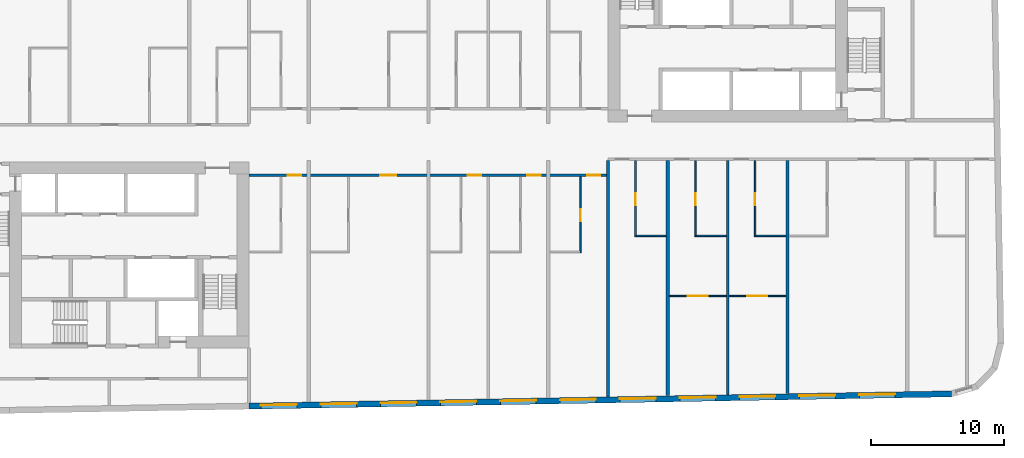
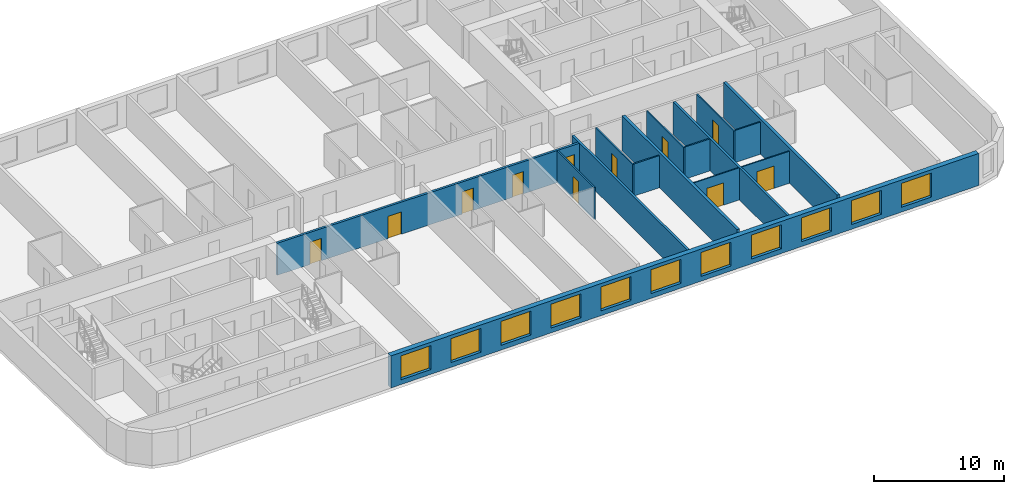
# One storey, part 4 of 12: 15 walls, 11 doors, 11 windows, 22 openings.
"""IFC4 building model written with IfcOpenShell, lengths in metres."""

from ifc_helpers import new_model, si_unit, direction, frame, frame_2d, origin, place, context, subcontext, project, spatial, rectangle, extrude, material, layer, layer_set, type_object, element, fill, save


model = new_model("IFC4")

# Units and contexts
model_context = context("Model", 3, precision=1e-05, world=origin(), true_north=direction((0.0, 1.0)))
body_context = subcontext(model_context, "Body", "Model", "MODEL_VIEW")
ifc_project = project(units=[si_unit("LENGTHUNIT", "METRE"), si_unit("AREAUNIT", "SQUARE_METRE"), si_unit("VOLUMEUNIT", "CUBIC_METRE"), si_unit("PLANEANGLEUNIT", "RADIAN"), si_unit("MASSUNIT", "GRAM", prefix="KILO")], contexts=[model_context])

# Site, building, storey
site_placement = place(None, origin())
site = spatial("IfcSite", under=ifc_project, at=site_placement, CompositionType="ELEMENT")
building_placement = place(site_placement, origin())
building = spatial("IfcBuilding", under=site, at=building_placement, Name="Kajstack Hotel Tower", CompositionType="ELEMENT")
storey_placement = place(building_placement, frame((0.0, 0.0, 234.199951171875)))
storey = spatial("IfcBuildingStorey", under=building, at=storey_placement, Name="L57", CompositionType="ELEMENT", Elevation=234.199951171875)

# Wall, openings, doors
ifc_material_1 = material(Name="Gypsum board on steel studs, mineral wool", Category="steel")
ifc_layer_1 = layer(ifc_material_1, 0.199951171875)
ifc_layer_set_1 = layer_set([ifc_layer_1], Name="Corridor wall 200")
wall_type_1 = type_object("IfcWallType", Name="Corridor wall 200", PredefinedType="PARTITIONING", material=ifc_layer_set_1)
wall_1_placement = place(storey_placement, frame((-13.5, -2.5, 0.0), z_axis=(0.0, 0.0, 1.0), x_axis=(1.0, 0.0, 0.0)))
wall_1 = element("IfcWall", 1, at=wall_1_placement, inside=storey, type_object=wall_type_1, Name="G-wall-L57-025", PredefinedType="PARTITIONING", context=body_context, shape_type="SweptSolid", body=[
    extrude(rectangle(XDim=27.0, YDim=0.199951171875, at=frame_2d((13.5, 0.0))), origin(), (0.0, 0.0, 1.0), 3.02001953125),
])
opening_1_placement = place(wall_1_placement, frame((2.925048828125, 0.0, 0.0)))
opening_1 = element("IfcOpeningElement", 2, at=opening_1_placement, cuts=wall_1, Name="Opening 57019", PredefinedType="OPENING", context=body_context, shape_type="SweptSolid", body=[
    extrude(rectangle(XDim=1.0, YDim=2.10009765625, at=frame_2d((0.5, 1.050048828125))), frame((0.0, 0.10986328125, 0.0), z_axis=(0.0, -1.0, 0.0), x_axis=(1.0, 0.0, 0.0)), (0.0, 0.0, 1.0), 0.219970703125),
])
opening_2_placement = place(wall_1_placement, frame((9.863037109375, 0.0, 0.0)))
opening_2 = element("IfcOpeningElement", 3, at=opening_2_placement, cuts=wall_1, Name="Opening 57021", PredefinedType="OPENING", context=body_context, shape_type="SweptSolid", body=[
    extrude(rectangle(XDim=1.199951171875, YDim=2.10009765625, at=frame_2d((0.60009765625, 1.050048828125))), frame((0.0, 0.10986328125, 0.0), z_axis=(0.0, -1.0, 0.0), x_axis=(1.0, 0.0, 0.0)), (0.0, 0.0, 1.0), 0.219970703125),
])
opening_3_placement = place(wall_1_placement, frame((16.449951171875, 0.0, 0.0)))
opening_3 = element("IfcOpeningElement", 4, at=opening_3_placement, cuts=wall_1, Name="Opening 57023", PredefinedType="OPENING", context=body_context, shape_type="SweptSolid", body=[
    extrude(rectangle(XDim=1.0, YDim=2.10009765625, at=frame_2d((0.5, 1.050048828125))), frame((0.0, 0.10986328125, 0.0), z_axis=(0.0, -1.0, 0.0), x_axis=(1.0, 0.0, 0.0)), (0.0, 0.0, 1.0), 0.219970703125),
])
opening_4_placement = place(wall_1_placement, frame((20.925048828125, 0.0, 0.0)))
opening_4 = element("IfcOpeningElement", 5, at=opening_4_placement, cuts=wall_1, Name="Opening 57025", PredefinedType="OPENING", context=body_context, shape_type="SweptSolid", body=[
    extrude(rectangle(XDim=1.0, YDim=2.10009765625, at=frame_2d((0.5, 1.050048828125))), frame((0.0, 0.10986328125, 0.0), z_axis=(0.0, -1.0, 0.0), x_axis=(1.0, 0.0, 0.0)), (0.0, 0.0, 1.0), 0.219970703125),
])
opening_5_placement = place(wall_1_placement, frame((25.425048828125, 0.0, 0.0)))
opening_5 = element("IfcOpeningElement", 6, at=opening_5_placement, cuts=wall_1, Name="Opening 57027", PredefinedType="OPENING", context=body_context, shape_type="SweptSolid", body=[
    extrude(rectangle(XDim=1.0, YDim=2.10009765625, at=frame_2d((0.5, 1.050048828125))), frame((0.0, 0.10986328125, 0.0), z_axis=(0.0, -1.0, 0.0), x_axis=(1.0, 0.0, 0.0)), (0.0, 0.0, 1.0), 0.219970703125),
])
ifc_material_2 = material(Name="Oak veneer on timber core, fire-rated leaf", Category="wood")
door_type_1 = type_object("IfcDoorType", Name="Flat entrance door 1000", OperationType="SINGLE_SWING_LEFT", PredefinedType="DOOR", material=ifc_material_2)
door_1_placement = place(opening_1_placement, origin())
door_1 = element("IfcDoor", 7, at=door_1_placement, inside=storey, type_object=door_type_1, Name="G-door-L57-19", OperationType="SINGLE_SWING_RIGHT", OverallHeight=2.10009765625, OverallWidth=1.0, PredefinedType="DOOR", context=body_context, shape_type="SweptSolid", body=[
    extrude(rectangle(XDim=1.0, YDim=2.10009765625, at=frame_2d((0.5, 1.050048828125))), frame((0.0, 0.02490234375, 0.0), z_axis=(0.0, -1.0, 0.0), x_axis=(1.0, 0.0, 0.0)), (0.0, 0.0, 1.0), 0.050048828125),
])
fill(opening_1, door_1)
door_2_placement = place(opening_3_placement, origin())
door_2 = element("IfcDoor", 8, at=door_2_placement, inside=storey, type_object=door_type_1, Name="G-door-L57-23", OperationType="SINGLE_SWING_LEFT", OverallHeight=2.10009765625, OverallWidth=1.0, PredefinedType="DOOR", context=body_context, shape_type="SweptSolid", body=[
    extrude(rectangle(XDim=1.0, YDim=2.10009765625, at=frame_2d((0.5, 1.050048828125))), frame((0.0, 0.02490234375, 0.0), z_axis=(0.0, -1.0, 0.0), x_axis=(1.0, 0.0, 0.0)), (0.0, 0.0, 1.0), 0.050048828125),
])
fill(opening_3, door_2)
door_3_placement = place(opening_4_placement, origin())
door_3 = element("IfcDoor", 9, at=door_3_placement, inside=storey, type_object=door_type_1, Name="G-door-L57-25", OperationType="SINGLE_SWING_RIGHT", OverallHeight=2.10009765625, OverallWidth=1.0, PredefinedType="DOOR", context=body_context, shape_type="SweptSolid", body=[
    extrude(rectangle(XDim=1.0, YDim=2.10009765625, at=frame_2d((0.5, 1.050048828125))), frame((0.0, 0.02490234375, 0.0), z_axis=(0.0, -1.0, 0.0), x_axis=(1.0, 0.0, 0.0)), (0.0, 0.0, 1.0), 0.050048828125),
])
fill(opening_4, door_3)
door_4_placement = place(opening_5_placement, origin())
door_4 = element("IfcDoor", 10, at=door_4_placement, inside=storey, type_object=door_type_1, Name="G-door-L57-27", OperationType="SINGLE_SWING_LEFT", OverallHeight=2.10009765625, OverallWidth=1.0, PredefinedType="DOOR", context=body_context, shape_type="SweptSolid", body=[
    extrude(rectangle(XDim=1.0, YDim=2.10009765625, at=frame_2d((0.5, 1.050048828125))), frame((0.0, 0.02490234375, 0.0), z_axis=(0.0, -1.0, 0.0), x_axis=(1.0, 0.0, 0.0)), (0.0, 0.0, 1.0), 0.050048828125),
])
fill(opening_5, door_4)
door_type_2 = type_object("IfcDoorType", Name="Flat entrance door 1200", OperationType="SINGLE_SWING_LEFT", PredefinedType="DOOR", material=ifc_material_2)
door_5_placement = place(opening_2_placement, origin())
door_5 = element("IfcDoor", 11, at=door_5_placement, inside=storey, type_object=door_type_2, Name="G-door-L57-21", OperationType="SINGLE_SWING_RIGHT", OverallHeight=2.10009765625, OverallWidth=1.199951171875, PredefinedType="DOOR", context=body_context, shape_type="SweptSolid", body=[
    extrude(rectangle(XDim=1.199951171875, YDim=2.10009765625, at=frame_2d((0.60009765625, 1.050048828125))), frame((0.0, 0.02490234375, 0.0), z_axis=(0.0, -1.0, 0.0), x_axis=(1.0, 0.0, 0.0)), (0.0, 0.0, 1.0), 0.050048828125),
])
fill(opening_2, door_5)

# Walls
ifc_material_3 = material(Name="Twin-frame gypsum board on steel studs, mineral wool", Category="steel")
ifc_layer_2 = layer(ifc_material_3, 0.199951171875)
ifc_layer_set_2 = layer_set([ifc_layer_2], Name="Demising wall 200")
wall_type_2 = type_object("IfcWallType", Name="Demising wall 200", PredefinedType="PARTITIONING", material=ifc_layer_set_2)
wall_2_placement = place(storey_placement, frame((13.5, -19.169921875, 0.0), z_axis=(0.0, 0.0, 1.0), x_axis=(0.0, 1.0, 0.0)))
element("IfcWall", 12, at=wall_2_placement, inside=storey, type_object=wall_type_2, Name="G-wall-L57-036", PredefinedType="PARTITIONING", context=body_context, shape_type="SweptSolid", body=[
    extrude(rectangle(XDim=17.77001953125, YDim=0.199951171875, at=frame_2d((8.885009765625, 0.0))), origin(), (0.0, 0.0, 1.0), 3.02001953125),
])
wall_3_placement = place(storey_placement, frame((22.5, -19.012939453125, 0.0), z_axis=(0.0, 0.0, 1.0), x_axis=(0.0, 1.0, 0.0)))
element("IfcWall", 13, at=wall_3_placement, inside=storey, type_object=wall_type_2, Name="G-wall-L57-041", PredefinedType="PARTITIONING", context=body_context, shape_type="SweptSolid", body=[
    extrude(rectangle(XDim=17.613037109375, YDim=0.199951171875, at=frame_2d((8.806640625, 0.0))), origin(), (0.0, 0.0, 1.0), 3.02001953125),
])

# Wall, openings, windows
ifc_material_4 = material(Name="Terracotta-faced brick masonry", Category="masonry")
ifc_layer_3 = layer(ifc_material_4, 0.449951171875)
ifc_layer_set_3 = layer_set([ifc_layer_3], Name="EW-TERRA")
wall_type_3 = type_object("IfcWallType", Name="EW-TERRA", PredefinedType="SOLIDWALL", material=ifc_layer_set_3)
wall_4_placement = place(storey_placement, frame((-13.50390625, -19.8662109375, 0.0), z_axis=(0.0, 0.0, 1.0), x_axis=(0.999847672978, 0.017453676992, 0.0)))
wall_4 = element("IfcWall", 14, at=wall_4_placement, inside=storey, type_object=wall_type_3, Name="E-wall-L57-04-02", PredefinedType="SOLIDWALL", context=body_context, shape_type="SweptSolid", body=[
    extrude(rectangle(XDim=52.8603515625, YDim=0.449951171875, at=frame_2d((26.43017578125, 0.0))), origin(), (0.0, 0.0, 1.0), 3.02001953125),
])
opening_6_placement = place(wall_4_placement, frame((0.900390625, 0.0, 0.449951171875)))
opening_6 = element("IfcOpeningElement", 15, at=opening_6_placement, cuts=wall_4, Name="Opening W1", PredefinedType="OPENING", context=body_context, shape_type="SweptSolid", body=[
    extrude(rectangle(XDim=2.699951171875, YDim=2.25, at=frame_2d((1.35009765625, 1.125))), frame((0.0, 0.23486328125, 0.0), z_axis=(0.0, -1.0, 0.0), x_axis=(1.0, 0.0, 0.0)), (0.0, 0.0, 1.0), 0.469970703125),
])
opening_7_placement = place(wall_4_placement, frame((5.40087890625, 0.0, 0.449951171875)))
opening_7 = element("IfcOpeningElement", 16, at=opening_7_placement, cuts=wall_4, Name="Opening W1", PredefinedType="OPENING", context=body_context, shape_type="SweptSolid", body=[
    extrude(rectangle(XDim=2.699951171875, YDim=2.25, at=frame_2d((1.35009765625, 1.125))), frame((0.0, 0.23486328125, 0.0), z_axis=(0.0, -1.0, 0.0), x_axis=(1.0, 0.0, 0.0)), (0.0, 0.0, 1.0), 0.469970703125),
])
opening_8_placement = place(wall_4_placement, frame((9.901611328125, 0.0, 0.449951171875)))
opening_8 = element("IfcOpeningElement", 17, at=opening_8_placement, cuts=wall_4, Name="Opening W1", PredefinedType="OPENING", context=body_context, shape_type="SweptSolid", body=[
    extrude(rectangle(XDim=2.699951171875, YDim=2.25, at=frame_2d((1.35009765625, 1.125))), frame((0.0, 0.23486328125, 0.0), z_axis=(0.0, -1.0, 0.0), x_axis=(1.0, 0.0, 0.0)), (0.0, 0.0, 1.0), 0.469970703125),
])
opening_9_placement = place(wall_4_placement, frame((14.40234375, 0.0, 0.449951171875)))
opening_9 = element("IfcOpeningElement", 18, at=opening_9_placement, cuts=wall_4, Name="Opening W1", PredefinedType="OPENING", context=body_context, shape_type="SweptSolid", body=[
    extrude(rectangle(XDim=2.699951171875, YDim=2.25, at=frame_2d((1.35009765625, 1.125))), frame((0.0, 0.23486328125, 0.0), z_axis=(0.0, -1.0, 0.0), x_axis=(1.0, 0.0, 0.0)), (0.0, 0.0, 1.0), 0.469970703125),
])
opening_10_placement = place(wall_4_placement, frame((18.903076171875, 0.0, 0.449951171875)))
opening_10 = element("IfcOpeningElement", 19, at=opening_10_placement, cuts=wall_4, Name="Opening W1", PredefinedType="OPENING", context=body_context, shape_type="SweptSolid", body=[
    extrude(rectangle(XDim=2.699951171875, YDim=2.25, at=frame_2d((1.35009765625, 1.125))), frame((0.0, 0.23486328125, 0.0), z_axis=(0.0, -1.0, 0.0), x_axis=(1.0, 0.0, 0.0)), (0.0, 0.0, 1.0), 0.469970703125),
])
opening_11_placement = place(wall_4_placement, frame((23.40380859375, 0.0, 0.449951171875)))
opening_11 = element("IfcOpeningElement", 20, at=opening_11_placement, cuts=wall_4, Name="Opening W1", PredefinedType="OPENING", context=body_context, shape_type="SweptSolid", body=[
    extrude(rectangle(XDim=2.699951171875, YDim=2.25, at=frame_2d((1.35009765625, 1.125))), frame((0.0, 0.23486328125, 0.0), z_axis=(0.0, -1.0, 0.0), x_axis=(1.0, 0.0, 0.0)), (0.0, 0.0, 1.0), 0.469970703125),
])
opening_12_placement = place(wall_4_placement, frame((27.904296875, 0.0, 0.449951171875)))
opening_12 = element("IfcOpeningElement", 21, at=opening_12_placement, cuts=wall_4, Name="Opening W1", PredefinedType="OPENING", context=body_context, shape_type="SweptSolid", body=[
    extrude(rectangle(XDim=2.699951171875, YDim=2.25, at=frame_2d((1.35009765625, 1.125))), frame((0.0, 0.23486328125, 0.0), z_axis=(0.0, -1.0, 0.0), x_axis=(1.0, 0.0, 0.0)), (0.0, 0.0, 1.0), 0.469970703125),
])
opening_13_placement = place(wall_4_placement, frame((32.405029296875, 0.0, 0.449951171875)))
opening_13 = element("IfcOpeningElement", 22, at=opening_13_placement, cuts=wall_4, Name="Opening W1", PredefinedType="OPENING", context=body_context, shape_type="SweptSolid", body=[
    extrude(rectangle(XDim=2.699951171875, YDim=2.25, at=frame_2d((1.35009765625, 1.125))), frame((0.0, 0.23486328125, 0.0), z_axis=(0.0, -1.0, 0.0), x_axis=(1.0, 0.0, 0.0)), (0.0, 0.0, 1.0), 0.469970703125),
])
opening_14_placement = place(wall_4_placement, frame((36.90576171875, 0.0, 0.449951171875)))
opening_14 = element("IfcOpeningElement", 23, at=opening_14_placement, cuts=wall_4, Name="Opening W1", PredefinedType="OPENING", context=body_context, shape_type="SweptSolid", body=[
    extrude(rectangle(XDim=2.699951171875, YDim=2.25, at=frame_2d((1.35009765625, 1.125))), frame((0.0, 0.23486328125, 0.0), z_axis=(0.0, -1.0, 0.0), x_axis=(1.0, 0.0, 0.0)), (0.0, 0.0, 1.0), 0.469970703125),
])
opening_15_placement = place(wall_4_placement, frame((41.406494140625, 0.0, 0.449951171875)))
opening_15 = element("IfcOpeningElement", 24, at=opening_15_placement, cuts=wall_4, Name="Opening W1", PredefinedType="OPENING", context=body_context, shape_type="SweptSolid", body=[
    extrude(rectangle(XDim=2.699951171875, YDim=2.25, at=frame_2d((1.35009765625, 1.125))), frame((0.0, 0.23486328125, 0.0), z_axis=(0.0, -1.0, 0.0), x_axis=(1.0, 0.0, 0.0)), (0.0, 0.0, 1.0), 0.469970703125),
])
opening_16_placement = place(wall_4_placement, frame((45.9072265625, 0.0, 0.449951171875)))
opening_16 = element("IfcOpeningElement", 25, at=opening_16_placement, cuts=wall_4, Name="Opening W1", PredefinedType="OPENING", context=body_context, shape_type="SweptSolid", body=[
    extrude(rectangle(XDim=2.699951171875, YDim=2.25, at=frame_2d((1.35009765625, 1.125))), frame((0.0, 0.23486328125, 0.0), z_axis=(0.0, -1.0, 0.0), x_axis=(1.0, 0.0, 0.0)), (0.0, 0.0, 1.0), 0.469970703125),
])
ifc_material_5 = material(Name="Timber-aluminium window, triple glazed", Category="wood")
window_type = type_object("IfcWindowType", Name="WG1", PartitioningType="SINGLE_PANEL", PredefinedType="WINDOW", material=ifc_material_5)
window_1_placement = place(opening_6_placement, origin())
window_1 = element("IfcWindow", 26, at=window_1_placement, inside=storey, type_object=window_type, Name="Window W1 L57-04", OverallHeight=2.25, OverallWidth=2.699951171875, PartitioningType="SINGLE_PANEL", PredefinedType="WINDOW", context=body_context, shape_type="SweptSolid", body=[
    extrude(rectangle(XDim=2.699951171875, YDim=2.25, at=frame_2d((1.35009765625, 1.125))), frame((0.0, 0.090087890625, 0.0), z_axis=(0.0, -1.0, 0.0), x_axis=(1.0, 0.0, 0.0)), (0.0, 0.0, 1.0), 0.06005859375),
])
fill(opening_6, window_1)
window_2_placement = place(opening_7_placement, origin())
window_2 = element("IfcWindow", 27, at=window_2_placement, inside=storey, type_object=window_type, Name="Window W1 L57-04", OverallHeight=2.25, OverallWidth=2.699951171875, PartitioningType="SINGLE_PANEL", PredefinedType="WINDOW", context=body_context, shape_type="SweptSolid", body=[
    extrude(rectangle(XDim=2.699951171875, YDim=2.25, at=frame_2d((1.35009765625, 1.125))), frame((0.0, 0.090087890625, 0.0), z_axis=(0.0, -1.0, 0.0), x_axis=(1.0, 0.0, 0.0)), (0.0, 0.0, 1.0), 0.06005859375),
])
fill(opening_7, window_2)
window_3_placement = place(opening_8_placement, origin())
window_3 = element("IfcWindow", 28, at=window_3_placement, inside=storey, type_object=window_type, Name="Window W1 L57-04", OverallHeight=2.25, OverallWidth=2.699951171875, PartitioningType="SINGLE_PANEL", PredefinedType="WINDOW", context=body_context, shape_type="SweptSolid", body=[
    extrude(rectangle(XDim=2.699951171875, YDim=2.25, at=frame_2d((1.35009765625, 1.125))), frame((0.0, 0.090087890625, 0.0), z_axis=(0.0, -1.0, 0.0), x_axis=(1.0, 0.0, 0.0)), (0.0, 0.0, 1.0), 0.06005859375),
])
fill(opening_8, window_3)
window_4_placement = place(opening_9_placement, origin())
window_4 = element("IfcWindow", 29, at=window_4_placement, inside=storey, type_object=window_type, Name="Window W1 L57-04", OverallHeight=2.25, OverallWidth=2.699951171875, PartitioningType="SINGLE_PANEL", PredefinedType="WINDOW", context=body_context, shape_type="SweptSolid", body=[
    extrude(rectangle(XDim=2.699951171875, YDim=2.25, at=frame_2d((1.35009765625, 1.125))), frame((0.0, 0.090087890625, 0.0), z_axis=(0.0, -1.0, 0.0), x_axis=(1.0, 0.0, 0.0)), (0.0, 0.0, 1.0), 0.06005859375),
])
fill(opening_9, window_4)
window_5_placement = place(opening_10_placement, origin())
window_5 = element("IfcWindow", 30, at=window_5_placement, inside=storey, type_object=window_type, Name="Window W1 L57-04", OverallHeight=2.25, OverallWidth=2.699951171875, PartitioningType="SINGLE_PANEL", PredefinedType="WINDOW", context=body_context, shape_type="SweptSolid", body=[
    extrude(rectangle(XDim=2.699951171875, YDim=2.25, at=frame_2d((1.35009765625, 1.125))), frame((0.0, 0.090087890625, 0.0), z_axis=(0.0, -1.0, 0.0), x_axis=(1.0, 0.0, 0.0)), (0.0, 0.0, 1.0), 0.06005859375),
])
fill(opening_10, window_5)
window_6_placement = place(opening_11_placement, origin())
window_6 = element("IfcWindow", 31, at=window_6_placement, inside=storey, type_object=window_type, Name="Window W1 L57-04", OverallHeight=2.25, OverallWidth=2.699951171875, PartitioningType="SINGLE_PANEL", PredefinedType="WINDOW", context=body_context, shape_type="SweptSolid", body=[
    extrude(rectangle(XDim=2.699951171875, YDim=2.25, at=frame_2d((1.35009765625, 1.125))), frame((0.0, 0.090087890625, 0.0), z_axis=(0.0, -1.0, 0.0), x_axis=(1.0, 0.0, 0.0)), (0.0, 0.0, 1.0), 0.06005859375),
])
fill(opening_11, window_6)
window_7_placement = place(opening_12_placement, origin())
window_7 = element("IfcWindow", 32, at=window_7_placement, inside=storey, type_object=window_type, Name="Window W1 L57-04", OverallHeight=2.25, OverallWidth=2.699951171875, PartitioningType="SINGLE_PANEL", PredefinedType="WINDOW", context=body_context, shape_type="SweptSolid", body=[
    extrude(rectangle(XDim=2.699951171875, YDim=2.25, at=frame_2d((1.35009765625, 1.125))), frame((0.0, 0.090087890625, 0.0), z_axis=(0.0, -1.0, 0.0), x_axis=(1.0, 0.0, 0.0)), (0.0, 0.0, 1.0), 0.06005859375),
])
fill(opening_12, window_7)
window_8_placement = place(opening_13_placement, origin())
window_8 = element("IfcWindow", 33, at=window_8_placement, inside=storey, type_object=window_type, Name="Window W1 L57-04", OverallHeight=2.25, OverallWidth=2.699951171875, PartitioningType="SINGLE_PANEL", PredefinedType="WINDOW", context=body_context, shape_type="SweptSolid", body=[
    extrude(rectangle(XDim=2.699951171875, YDim=2.25, at=frame_2d((1.35009765625, 1.125))), frame((0.0, 0.090087890625, 0.0), z_axis=(0.0, -1.0, 0.0), x_axis=(1.0, 0.0, 0.0)), (0.0, 0.0, 1.0), 0.06005859375),
])
fill(opening_13, window_8)
window_9_placement = place(opening_14_placement, origin())
window_9 = element("IfcWindow", 34, at=window_9_placement, inside=storey, type_object=window_type, Name="Window W1 L57-04", OverallHeight=2.25, OverallWidth=2.699951171875, PartitioningType="SINGLE_PANEL", PredefinedType="WINDOW", context=body_context, shape_type="SweptSolid", body=[
    extrude(rectangle(XDim=2.699951171875, YDim=2.25, at=frame_2d((1.35009765625, 1.125))), frame((0.0, 0.090087890625, 0.0), z_axis=(0.0, -1.0, 0.0), x_axis=(1.0, 0.0, 0.0)), (0.0, 0.0, 1.0), 0.06005859375),
])
fill(opening_14, window_9)
window_10_placement = place(opening_15_placement, origin())
window_10 = element("IfcWindow", 35, at=window_10_placement, inside=storey, type_object=window_type, Name="Window W1 L57-04", OverallHeight=2.25, OverallWidth=2.699951171875, PartitioningType="SINGLE_PANEL", PredefinedType="WINDOW", context=body_context, shape_type="SweptSolid", body=[
    extrude(rectangle(XDim=2.699951171875, YDim=2.25, at=frame_2d((1.35009765625, 1.125))), frame((0.0, 0.090087890625, 0.0), z_axis=(0.0, -1.0, 0.0), x_axis=(1.0, 0.0, 0.0)), (0.0, 0.0, 1.0), 0.06005859375),
])
fill(opening_15, window_10)
window_11_placement = place(opening_16_placement, origin())
window_11 = element("IfcWindow", 36, at=window_11_placement, inside=storey, type_object=window_type, Name="Window W1 L57-04", OverallHeight=2.25, OverallWidth=2.699951171875, PartitioningType="SINGLE_PANEL", PredefinedType="WINDOW", context=body_context, shape_type="SweptSolid", body=[
    extrude(rectangle(XDim=2.699951171875, YDim=2.25, at=frame_2d((1.35009765625, 1.125))), frame((0.0, 0.090087890625, 0.0), z_axis=(0.0, -1.0, 0.0), x_axis=(1.0, 0.0, 0.0)), (0.0, 0.0, 1.0), 0.06005859375),
])
fill(opening_16, window_11)

# Wall, opening, door
ifc_material_6 = material(Name="Gypsum board and tiled backer on steel studs", Category="steel")
ifc_layer_4 = layer(ifc_material_6, 0.125)
ifc_layer_set_4 = layer_set([ifc_layer_4], Name="En-suite wall 125")
wall_type_4 = type_object("IfcWallType", Name="En-suite wall 125", PredefinedType="PARTITIONING", material=ifc_layer_set_4)
wall_5_placement = place(storey_placement, frame((11.43798828125, -8.324951171875, 0.0), z_axis=(0.0, 0.0, 1.0), x_axis=(0.0, 1.0, 0.0)))
wall_5 = element("IfcWall", 37, at=wall_5_placement, inside=storey, type_object=wall_type_4, Name="G-wall-L57-037", PredefinedType="PARTITIONING", context=body_context, shape_type="SweptSolid", body=[
    extrude(rectangle(XDim=5.724853515625, YDim=0.125, at=frame_2d((2.8623046875, 0.0))), origin(), (0.0, 0.0, 1.0), 3.02001953125),
])
opening_17_placement = place(wall_5_placement, frame((2.375, 0.0, 0.0)))
opening_17 = element("IfcOpeningElement", 38, at=opening_17_placement, cuts=wall_5, Name="Opening 57028", PredefinedType="OPENING", context=body_context, shape_type="SweptSolid", body=[
    extrude(rectangle(XDim=0.89990234375, YDim=2.10009765625, at=frame_2d((0.449951171875, 1.050048828125))), frame((0.0, 0.072509765625, 0.0), z_axis=(0.0, -1.0, 0.0), x_axis=(1.0, 0.0, 0.0)), (0.0, 0.0, 1.0), 0.14501953125),
])
ifc_material_7 = material(Name="Painted timber door leaf", Category="wood")
door_type_3 = type_object("IfcDoorType", Name="Room door 900", OperationType="SINGLE_SWING_LEFT", PredefinedType="DOOR", material=ifc_material_7)
door_6_placement = place(opening_17_placement, origin())
door_6 = element("IfcDoor", 39, at=door_6_placement, inside=storey, type_object=door_type_3, Name="G-door-L57-28", OperationType="SINGLE_SWING_LEFT", OverallHeight=2.10009765625, OverallWidth=0.89990234375, PredefinedType="DOOR", context=body_context, shape_type="SweptSolid", body=[
    extrude(rectangle(XDim=0.89990234375, YDim=2.10009765625, at=frame_2d((0.449951171875, 1.050048828125))), frame((0.0, 0.02490234375, 0.0), z_axis=(0.0, -1.0, 0.0), x_axis=(1.0, 0.0, 0.0)), (0.0, 0.0, 1.0), 0.050048828125),
])
fill(opening_17, door_6)

wall_6_placement = place(storey_placement, frame((15.56201171875, -7.125, 0.0), z_axis=(0.0, 0.0, 1.0), x_axis=(0.0, 1.0, 0.0)))
wall_6 = element("IfcWall", 40, at=wall_6_placement, inside=storey, type_object=wall_type_4, Name="G-wall-L57-039", PredefinedType="PARTITIONING", context=body_context, shape_type="SweptSolid", body=[
    extrude(rectangle(XDim=5.72509765625, YDim=0.125, at=frame_2d((2.862548828125, 0.0))), origin(), (0.0, 0.0, 1.0), 3.02001953125),
])
opening_18_placement = place(wall_6_placement, frame((2.375, 0.0, 0.0)))
opening_18 = element("IfcOpeningElement", 41, at=opening_18_placement, cuts=wall_6, Name="Opening 57030", PredefinedType="OPENING", context=body_context, shape_type="SweptSolid", body=[
    extrude(rectangle(XDim=0.89990234375, YDim=2.10009765625, at=frame_2d((0.449951171875, 1.050048828125))), frame((0.0, 0.072509765625, 0.0), z_axis=(0.0, -1.0, 0.0), x_axis=(1.0, 0.0, 0.0)), (0.0, 0.0, 1.0), 0.14501953125),
])
door_7_placement = place(opening_18_placement, origin())
door_7 = element("IfcDoor", 42, at=door_7_placement, inside=storey, type_object=door_type_3, Name="G-door-L57-30", OperationType="SINGLE_SWING_RIGHT", OverallHeight=2.10009765625, OverallWidth=0.89990234375, PredefinedType="DOOR", context=body_context, shape_type="SweptSolid", body=[
    extrude(rectangle(XDim=0.89990234375, YDim=2.10009765625, at=frame_2d((0.449951171875, 1.050048828125))), frame((0.0, 0.02490234375, 0.0), z_axis=(0.0, -1.0, 0.0), x_axis=(1.0, 0.0, 0.0)), (0.0, 0.0, 1.0), 0.050048828125),
])
fill(opening_18, door_7)

# Wall
wall_7_placement = place(storey_placement, frame((15.625, -7.06201171875, 0.0), z_axis=(0.0, 0.0, 1.0), x_axis=(1.0, 0.0, 0.0)))
element("IfcWall", 43, at=wall_7_placement, inside=storey, type_object=wall_type_4, Name="G-wall-L57-040", PredefinedType="PARTITIONING", context=body_context, shape_type="SweptSolid", body=[
    extrude(rectangle(XDim=2.25, YDim=0.125, at=frame_2d((1.125, 0.0))), origin(), (0.0, 0.0, 1.0), 3.02001953125),
])

# Wall, opening, door
wall_8_placement = place(storey_placement, frame((20.0869140625, -7.125, 0.0), z_axis=(0.0, 0.0, 1.0), x_axis=(0.0, 1.0, 0.0)))
wall_8 = element("IfcWall", 44, at=wall_8_placement, inside=storey, type_object=wall_type_4, Name="G-wall-L57-042", PredefinedType="PARTITIONING", context=body_context, shape_type="SweptSolid", body=[
    extrude(rectangle(XDim=5.72509765625, YDim=0.125, at=frame_2d((2.862548828125, 0.0))), origin(), (0.0, 0.0, 1.0), 3.02001953125),
])
opening_19_placement = place(wall_8_placement, frame((2.375, 0.0, 0.0)))
opening_19 = element("IfcOpeningElement", 45, at=opening_19_placement, cuts=wall_8, Name="Opening 57032", PredefinedType="OPENING", context=body_context, shape_type="SweptSolid", body=[
    extrude(rectangle(XDim=0.89990234375, YDim=2.10009765625, at=frame_2d((0.449951171875, 1.050048828125))), frame((0.0, 0.072509765625, 0.0), z_axis=(0.0, -1.0, 0.0), x_axis=(1.0, 0.0, 0.0)), (0.0, 0.0, 1.0), 0.14501953125),
])
door_8_placement = place(opening_19_placement, origin())
door_8 = element("IfcDoor", 46, at=door_8_placement, inside=storey, type_object=door_type_3, Name="G-door-L57-32", OperationType="SINGLE_SWING_RIGHT", OverallHeight=2.10009765625, OverallWidth=0.89990234375, PredefinedType="DOOR", context=body_context, shape_type="SweptSolid", body=[
    extrude(rectangle(XDim=0.89990234375, YDim=2.10009765625, at=frame_2d((0.449951171875, 1.050048828125))), frame((0.0, 0.02490234375, 0.0), z_axis=(0.0, -1.0, 0.0), x_axis=(1.0, 0.0, 0.0)), (0.0, 0.0, 1.0), 0.050048828125),
])
fill(opening_19, door_8)

# Wall
wall_9_placement = place(storey_placement, frame((20.14990234375, -7.06201171875, 0.0), z_axis=(0.0, 0.0, 1.0), x_axis=(1.0, 0.0, 0.0)))
element("IfcWall", 47, at=wall_9_placement, inside=storey, type_object=wall_type_4, Name="G-wall-L57-043", PredefinedType="PARTITIONING", context=body_context, shape_type="SweptSolid", body=[
    extrude(rectangle(XDim=2.25, YDim=0.125, at=frame_2d((1.125, 0.0))), origin(), (0.0, 0.0, 1.0), 3.02001953125),
])

# Wall, opening, door
wall_10_placement = place(storey_placement, frame((24.56201171875, -7.125, 0.0), z_axis=(0.0, 0.0, 1.0), x_axis=(0.0, 1.0, 0.0)))
wall_10 = element("IfcWall", 48, at=wall_10_placement, inside=storey, type_object=wall_type_4, Name="G-wall-L57-045", PredefinedType="PARTITIONING", context=body_context, shape_type="SweptSolid", body=[
    extrude(rectangle(XDim=5.72509765625, YDim=0.125, at=frame_2d((2.862548828125, 0.0))), origin(), (0.0, 0.0, 1.0), 3.02001953125),
])
opening_20_placement = place(wall_10_placement, frame((2.375, 0.0, 0.0)))
opening_20 = element("IfcOpeningElement", 49, at=opening_20_placement, cuts=wall_10, Name="Opening 57035", PredefinedType="OPENING", context=body_context, shape_type="SweptSolid", body=[
    extrude(rectangle(XDim=0.89990234375, YDim=2.10009765625, at=frame_2d((0.449951171875, 1.050048828125))), frame((0.0, 0.072509765625, 0.0), z_axis=(0.0, -1.0, 0.0), x_axis=(1.0, 0.0, 0.0)), (0.0, 0.0, 1.0), 0.14501953125),
])
door_9_placement = place(opening_20_placement, origin())
door_9 = element("IfcDoor", 50, at=door_9_placement, inside=storey, type_object=door_type_3, Name="G-door-L57-35", OperationType="SINGLE_SWING_LEFT", OverallHeight=2.10009765625, OverallWidth=0.89990234375, PredefinedType="DOOR", context=body_context, shape_type="SweptSolid", body=[
    extrude(rectangle(XDim=0.89990234375, YDim=2.10009765625, at=frame_2d((0.449951171875, 1.050048828125))), frame((0.0, 0.02490234375, 0.0), z_axis=(0.0, -1.0, 0.0), x_axis=(1.0, 0.0, 0.0)), (0.0, 0.0, 1.0), 0.050048828125),
])
fill(opening_20, door_9)

# Wall
wall_11_placement = place(storey_placement, frame((24.625, -7.06201171875, 0.0), z_axis=(0.0, 0.0, 1.0), x_axis=(1.0, 0.0, 0.0)))
element("IfcWall", 51, at=wall_11_placement, inside=storey, type_object=wall_type_4, Name="G-wall-L57-046", PredefinedType="PARTITIONING", context=body_context, shape_type="SweptSolid", body=[
    extrude(rectangle(XDim=2.25, YDim=0.125, at=frame_2d((1.125, 0.0))), origin(), (0.0, 0.0, 1.0), 3.02001953125),
])

# Wall, opening, door
ifc_material_8 = material(Name="Gypsum board on steel studs", Category="steel")
ifc_layer_5 = layer(ifc_material_8, 0.10009765625)
ifc_layer_set_5 = layer_set([ifc_layer_5], Name="Partition 100")
wall_type_5 = type_object("IfcWallType", Name="Partition 100", PredefinedType="PARTITIONING", material=ifc_layer_set_5)
wall_12_placement = place(storey_placement, frame((18.125, -11.574951171875, 0.0), z_axis=(0.0, 0.0, 1.0), x_axis=(1.0, 0.0, 0.0)))
wall_12 = element("IfcWall", 52, at=wall_12_placement, inside=storey, type_object=wall_type_5, Name="G-wall-L57-044", PredefinedType="PARTITIONING", context=body_context, shape_type="SweptSolid", body=[
    extrude(rectangle(XDim=4.27490234375, YDim=0.10009765625, at=frame_2d((2.137451171875, 0.0))), origin(), (0.0, 0.0, 1.0), 3.02001953125),
])
opening_21_placement = place(wall_12_placement, frame((1.386962890625, 0.0, 0.0)))
opening_21 = element("IfcOpeningElement", 53, at=opening_21_placement, cuts=wall_12, Name="Opening 57033", PredefinedType="OPENING", context=body_context, shape_type="SweptSolid", body=[
    extrude(rectangle(XDim=1.5, YDim=2.10009765625, at=frame_2d((0.75, 1.050048828125))), frame((0.0, 0.06005859375, 0.0), z_axis=(0.0, -1.0, 0.0), x_axis=(1.0, 0.0, 0.0)), (0.0, 0.0, 1.0), 0.1201171875),
])
ifc_material_9 = material(Name="Painted timber door leaves, glazed panels", Category="wood")
door_type_4 = type_object("IfcDoorType", Name="Double door 1500", OperationType="SINGLE_SWING_LEFT", PredefinedType="DOOR", material=ifc_material_9)
door_10_placement = place(opening_21_placement, origin())
door_10 = element("IfcDoor", 54, at=door_10_placement, inside=storey, type_object=door_type_4, Name="G-door-L57-33", OperationType="SINGLE_SWING_RIGHT", OverallHeight=2.10009765625, OverallWidth=1.5, PredefinedType="DOOR", context=body_context, shape_type="SweptSolid", body=[
    extrude(rectangle(XDim=1.5, YDim=2.10009765625, at=frame_2d((0.75, 1.050048828125))), frame((0.0, 0.02490234375, 0.0), z_axis=(0.0, -1.0, 0.0), x_axis=(1.0, 0.0, 0.0)), (0.0, 0.0, 1.0), 0.050048828125),
])
fill(opening_21, door_10)

wall_13_placement = place(storey_placement, frame((22.60009765625, -11.574951171875, 0.0), z_axis=(0.0, 0.0, 1.0), x_axis=(1.0, 0.0, 0.0)))
wall_13 = element("IfcWall", 55, at=wall_13_placement, inside=storey, type_object=wall_type_5, Name="G-wall-L57-047", PredefinedType="PARTITIONING", context=body_context, shape_type="SweptSolid", body=[
    extrude(rectangle(XDim=4.27490234375, YDim=0.10009765625, at=frame_2d((2.137451171875, 0.0))), origin(), (0.0, 0.0, 1.0), 3.02001953125),
])
opening_22_placement = place(wall_13_placement, frame((1.386962890625, 0.0, 0.0)))
opening_22 = element("IfcOpeningElement", 56, at=opening_22_placement, cuts=wall_13, Name="Opening 57036", PredefinedType="OPENING", context=body_context, shape_type="SweptSolid", body=[
    extrude(rectangle(XDim=1.5, YDim=2.10009765625, at=frame_2d((0.75, 1.050048828125))), frame((0.0, 0.06005859375, 0.0), z_axis=(0.0, -1.0, 0.0), x_axis=(1.0, 0.0, 0.0)), (0.0, 0.0, 1.0), 0.1201171875),
])
door_11_placement = place(opening_22_placement, origin())
door_11 = element("IfcDoor", 57, at=door_11_placement, inside=storey, type_object=door_type_4, Name="G-door-L57-36", OperationType="SINGLE_SWING_RIGHT", OverallHeight=2.10009765625, OverallWidth=1.5, PredefinedType="DOOR", context=body_context, shape_type="SweptSolid", body=[
    extrude(rectangle(XDim=1.5, YDim=2.10009765625, at=frame_2d((0.75, 1.050048828125))), frame((0.0, 0.02490234375, 0.0), z_axis=(0.0, -1.0, 0.0), x_axis=(1.0, 0.0, 0.0)), (0.0, 0.0, 1.0), 0.050048828125),
])
fill(opening_22, door_11)

# Walls
ifc_material_10 = material(Name="Concrete C45/55", Category="concrete")
ifc_layer_6 = layer(ifc_material_10, 0.25)
ifc_layer_set_6 = layer_set([ifc_layer_6], Name="RC cross wall 250 C45/55")
wall_type_6 = type_object("IfcWallType", Name="RC cross wall 250 C45/55", PredefinedType="SHEAR", material=ifc_layer_set_6)
wall_14_placement = place(storey_placement, frame((18.0, -19.0791015625, 0.0), z_axis=(0.0, 0.0, 1.0), x_axis=(0.0, 1.0, 0.0)))
element("IfcWall", 58, at=wall_14_placement, inside=storey, type_object=wall_type_6, Name="S-wall-L57-10", PredefinedType="SHEAR", context=body_context, shape_type="SweptSolid", body=[
    extrude(rectangle(XDim=17.67919921875, YDim=0.25, at=frame_2d((8.839599609375, 0.0))), origin(), (0.0, 0.0, 1.0), 3.300048828125),
])
wall_15_placement = place(storey_placement, frame((27.0, -18.922119140625, 0.0), z_axis=(0.0, 0.0, 1.0), x_axis=(0.0, 1.0, 0.0)))
element("IfcWall", 59, at=wall_15_placement, inside=storey, type_object=wall_type_6, Name="S-wall-L57-11", PredefinedType="SHEAR", context=body_context, shape_type="SweptSolid", body=[
    extrude(rectangle(XDim=17.522216796875, YDim=0.25, at=frame_2d((8.76123046875, 0.0))), origin(), (0.0, 0.0, 1.0), 3.300048828125),
])

save(model, "model.ifc")
